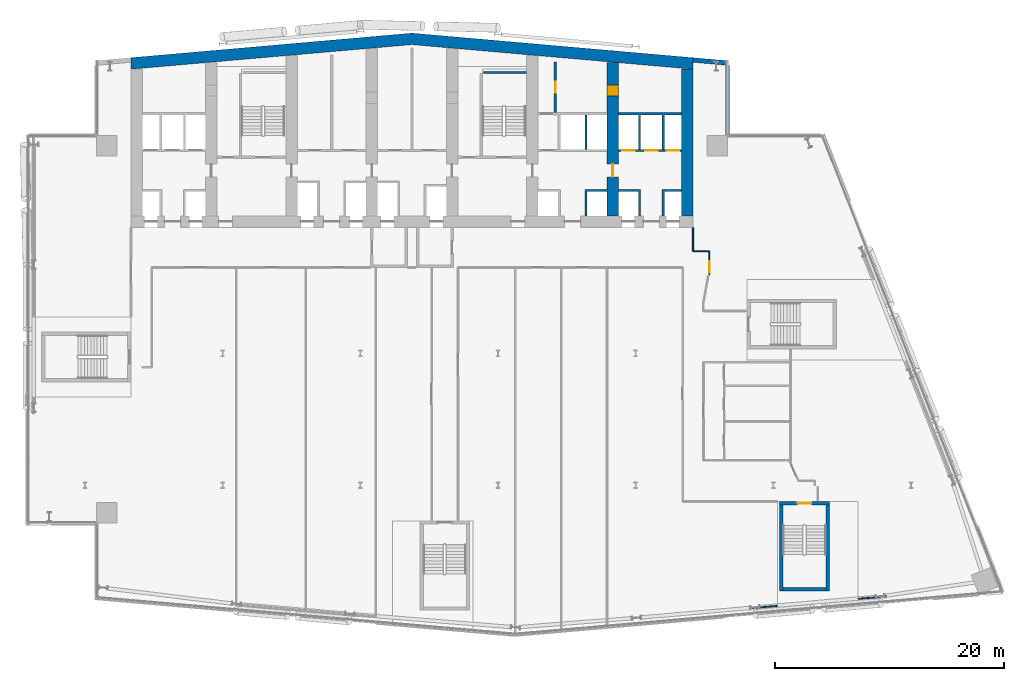
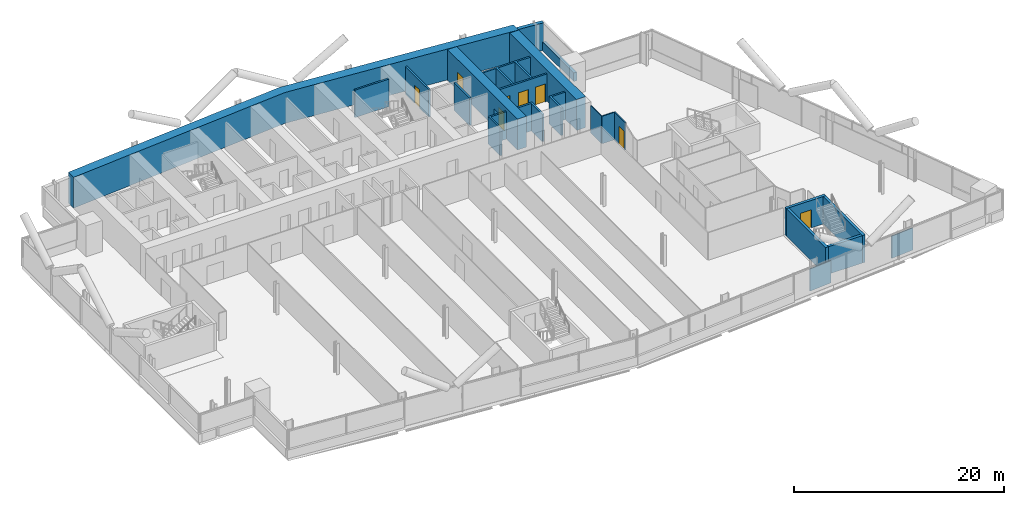
# One storey, part 17 of 26: 22 walls, 8 doors, 8 openings.
"""IFC4 building model written with IfcOpenShell, lengths in metres."""

from ifc_helpers import new_model, si_unit, direction, frame, frame_2d, origin, place, context, subcontext, project, spatial, polyline, rectangle, outline, extrude, material, layer, layer_set, type_object, element, fill, save


model = new_model("IFC4")

# Units and contexts
model_context = context("Model", 3, precision=1e-05, world=origin(), true_north=direction((0.0, 1.0)))
body_context = subcontext(model_context, "Body", "Model", "MODEL_VIEW")
ifc_project = project(units=[si_unit("LENGTHUNIT", "METRE"), si_unit("AREAUNIT", "SQUARE_METRE"), si_unit("VOLUMEUNIT", "CUBIC_METRE"), si_unit("PLANEANGLEUNIT", "RADIAN"), si_unit("MASSUNIT", "GRAM", prefix="KILO")], contexts=[model_context])

# Site, building, storey
site_placement = place(None, origin())
site = spatial("IfcSite", under=ifc_project, at=site_placement, CompositionType="ELEMENT")
building_placement = place(site_placement, origin())
building = spatial("IfcBuilding", under=site, at=building_placement, Name="Wharfspan Tower", CompositionType="ELEMENT")
storey_placement = place(building_placement, frame((0.0, 0.0, 125.5)))
storey = spatial("IfcBuildingStorey", under=building, at=storey_placement, Name="L29", CompositionType="ELEMENT", Elevation=125.5)

# Walls
ifc_material_1 = material(Name="Gypsum board on steel studs", Category="steel")
ifc_layer_1 = layer(ifc_material_1, 0.100098)
ifc_layer_set_1 = layer_set([ifc_layer_1], Name="Gypsum board on steel studs")
wall_type_1 = type_object("IfcWallType", Name="Compartment wall 100 EI 60", PredefinedType="PARTITIONING", material=ifc_layer_set_1)
wall_1_placement = place(storey_placement, frame((65.0, 31.925049, 0.0), z_axis=(0.0, 0.0, 1.0), x_axis=(0.0, 1.0, 0.0)))
element("IfcWall", 1, at=wall_1_placement, inside=storey, type_object=wall_type_1, Name="Partition L29.w020", PredefinedType="PARTITIONING", context=body_context, shape_type="SweptSolid", body=[
    extrude(rectangle(XDim=2.054932, YDim=0.100098, at=frame_2d((1.027344, 0.0))), origin(), (0.0, 0.0, 1.0), 3.199951),
])
wall_2_placement = place(storey_placement, frame((65.0, 31.925049, 0.0), z_axis=(0.0, 0.0, 1.0), x_axis=(1.0, 0.0, 0.0)))
element("IfcWall", 2, at=wall_2_placement, inside=storey, type_object=wall_type_1, Name="Partition L29.w021", PredefinedType="PARTITIONING", context=body_context, shape_type="SweptSolid", body=[
    extrude(rectangle(XDim=1.425049, YDim=0.100098, at=frame_2d((0.712402, 0.0))), origin(), (0.0, 0.0, 1.0), 3.199951),
])

# Wall, opening, door
wall_3_placement = place(storey_placement, frame((66.425049, 29.844971, 0.0), z_axis=(0.0, 0.0, 1.0), x_axis=(0.0, 1.0, 0.0)))
wall_3 = element("IfcWall", 3, at=wall_3_placement, inside=storey, type_object=wall_type_1, Name="Partition L29.w029", PredefinedType="PARTITIONING", context=body_context, shape_type="SweptSolid", body=[
    extrude(rectangle(XDim=2.080078, YDim=0.100098, at=frame_2d((1.040039, 0.0))), origin(), (0.0, 0.0, 1.0), 3.199951),
])
opening_1_placement = place(wall_3_placement, frame((0.180664, 0.0, 0.0)))
opening_1 = element("IfcOpeningElement", 4, at=opening_1_placement, cuts=wall_3, Name="Opening B4-15", PredefinedType="OPENING", context=body_context, shape_type="SweptSolid", body=[
    extrude(rectangle(XDim=1.0, YDim=2.100098, at=frame_2d((0.5, 1.050049))), frame((0.0, 0.060059, 0.0), z_axis=(0.0, -1.0, 0.0), x_axis=(1.0, 0.0, 0.0)), (0.0, 0.0, 1.0), 0.120117),
])
ifc_material_2 = material(Name="Fire-rated timber door leaf in steel frame", Category="steel")
door_type_1 = type_object("IfcDoorType", Name="Door 1000 FD30S Left", OperationType="SINGLE_SWING_LEFT", PredefinedType="DOOR", material=ifc_material_2)
door_1_placement = place(opening_1_placement, origin())
door_1 = element("IfcDoor", 5, at=door_1_placement, inside=storey, type_object=door_type_1, Name="Door B4-15", OperationType="SINGLE_SWING_LEFT", OverallHeight=2.100098, OverallWidth=1.0, PredefinedType="DOOR", context=body_context, shape_type="SweptSolid", body=[
    extrude(rectangle(XDim=1.0, YDim=2.100098, at=frame_2d((0.5, 1.050049))), frame((0.0, 0.024902, 0.0), z_axis=(0.0, -1.0, 0.0), x_axis=(1.0, 0.0, 0.0)), (0.0, 0.0, 1.0), 0.050049),
])
fill(opening_1, door_1)

ifc_material_3 = material(Name="Calcium silicate masonry", Category="masonry")
ifc_layer_2 = layer(ifc_material_3, 0.199951)
ifc_layer_set_2 = layer_set([ifc_layer_2], Name="Calcium silicate masonry")
wall_type_2 = type_object("IfcWallType", Name="Core room wall 200", PredefinedType="PARTITIONING", material=ifc_layer_set_2)
wall_4_placement = place(storey_placement, frame((53.0, 44.0, 0.0), z_axis=(0.0, 0.0, 1.0), x_axis=(0.0, 1.0, 0.0)))
wall_4 = element("IfcWall", 6, at=wall_4_placement, inside=storey, type_object=wall_type_2, Name="sw:L29:RP6.1", PredefinedType="PARTITIONING", context=body_context, shape_type="SweptSolid", body=[
    extrude(rectangle(XDim=4.419678, YDim=0.199951, at=frame_2d((2.209961, 0.0))), origin(), (0.0, 0.0, 1.0), 3.199951),
])
opening_2_placement = place(wall_4_placement, frame((1.709961, 0.0, 0.0)))
opening_2 = element("IfcOpeningElement", 7, at=opening_2_placement, cuts=wall_4, Name="Opening CD29.6P1", PredefinedType="OPENING", context=body_context, shape_type="SweptSolid", body=[
    extrude(rectangle(XDim=1.0, YDim=2.100098, at=frame_2d((0.5, 1.050049))), frame((0.0, 0.109863, 0.0), z_axis=(0.0, -1.0, 0.0), x_axis=(1.0, 0.0, 0.0)), (0.0, 0.0, 1.0), 0.219971),
])
ifc_material_4 = material(Name="Steel door leaf", Category="steel")
door_type_2 = type_object("IfcDoorType", Name="Core room door 1000x2100", OperationType="SINGLE_SWING_LEFT", PredefinedType="DOOR", material=ifc_material_4)
door_2_placement = place(opening_2_placement, origin())
door_2 = element("IfcDoor", 8, at=door_2_placement, inside=storey, type_object=door_type_2, Name="d:L29:6:rp1", OperationType="SINGLE_SWING_LEFT", OverallHeight=2.100098, OverallWidth=1.0, PredefinedType="DOOR", context=body_context, shape_type="SweptSolid", body=[
    extrude(rectangle(XDim=1.0, YDim=2.100098, at=frame_2d((0.5, 1.050049))), frame((0.0, 0.024902, 0.0), z_axis=(0.0, -1.0, 0.0), x_axis=(1.0, 0.0, 0.0)), (0.0, 0.0, 1.0), 0.050049),
])
fill(opening_2, door_2)

# Wall
ifc_material_5 = material(Name="Concrete C70/85", Category="concrete")
ifc_layer_3 = layer(ifc_material_5, 1.0)
ifc_layer_set_3 = layer_set([ifc_layer_3], Name="Concrete C70/85")
wall_type_3 = type_object("IfcWallType", Name="Core wall 1000 C70/85", PredefinedType="SHEAR", material=ifc_layer_set_3)
wall_5_placement = place(storey_placement, origin())
element("IfcWall", 9, at=wall_5_placement, inside=storey, type_object=wall_type_3, Name="Core rear wall L29", PredefinedType="SHEAR", context=body_context, shape_type="SweptSolid", body=[
    extrude(outline(polyline([(16.0, 47.783691), (40.5, 49.927002), (65.0, 47.783691), (65.0, 48.787354), (40.5, 50.930908), (16.0, 48.787354), (16.0, 47.783691)])), origin(), (0.0, 0.0, 1.0), 3.600098),
])

# Wall, openings, doors
wall_6_placement = place(storey_placement, frame((58.0, 35.0, 0.0), z_axis=(0.0, 0.0, 1.0), x_axis=(0.0, 1.0, 0.0)))
wall_6 = element("IfcWall", 10, at=wall_6_placement, inside=storey, type_object=wall_type_3, Name="Core cross wall X7 L29", PredefinedType="SHEAR", context=body_context, shape_type="SweptSolid", body=[
    extrude(rectangle(XDim=13.352295, YDim=1.0, at=frame_2d((6.67627, 0.0))), origin(), (0.0, 0.0, 1.0), 3.600098),
])
opening_3_placement = place(wall_6_placement, frame((10.425537, 0.0, 0.0)))
opening_3 = element("IfcOpeningElement", 11, at=opening_3_placement, cuts=wall_6, Name="Opening CD29.7X", PredefinedType="OPENING", context=body_context, shape_type="SweptSolid", body=[
    extrude(rectangle(XDim=1.0, YDim=2.100098, at=frame_2d((0.5, 1.050049))), frame((0.0, 0.51001, 0.0), z_axis=(0.0, -1.0, 0.0), x_axis=(1.0, 0.0, 0.0)), (0.0, 0.0, 1.0), 1.02002),
])
opening_4_placement = place(wall_6_placement, frame((3.399902, 0.0, 0.0)))
opening_4 = element("IfcOpeningElement", 12, at=opening_4_placement, cuts=wall_6, Name="Opening CC29.7", PredefinedType="OPENING", context=body_context, shape_type="SweptSolid", body=[
    extrude(rectangle(XDim=1.100098, YDim=2.100098, at=frame_2d((0.550049, 1.050049))), frame((0.0, 0.51001, 0.0), z_axis=(0.0, -1.0, 0.0), x_axis=(1.0, 0.0, 0.0)), (0.0, 0.0, 1.0), 1.02002),
])
door_type_3 = type_object("IfcDoorType", Name="Core corridor door 1100x2100", OperationType="SINGLE_SWING_LEFT", PredefinedType="DOOR", material=ifc_material_4)
door_3_placement = place(opening_4_placement, origin())
door_3 = element("IfcDoor", 13, at=door_3_placement, inside=storey, type_object=door_type_3, Name="xd:L29:7", OperationType="SINGLE_SWING_LEFT", OverallHeight=2.100098, OverallWidth=1.100098, PredefinedType="DOOR", context=body_context, shape_type="SweptSolid", body=[
    extrude(rectangle(XDim=1.100098, YDim=2.100098, at=frame_2d((0.550049, 1.050049))), frame((0.0, 0.024902, 0.0), z_axis=(0.0, -1.0, 0.0), x_axis=(1.0, 0.0, 0.0)), (0.0, 0.0, 1.0), 0.050049),
])
fill(opening_4, door_3)
door_4_placement = place(opening_3_placement, origin())
door_4 = element("IfcDoor", 14, at=door_4_placement, inside=storey, type_object=door_type_2, Name="d:L29:7:sx", OperationType="SINGLE_SWING_LEFT", OverallHeight=2.100098, OverallWidth=1.0, PredefinedType="DOOR", context=body_context, shape_type="SweptSolid", body=[
    extrude(rectangle(XDim=1.0, YDim=2.100098, at=frame_2d((0.5, 1.050049))), frame((0.0, 0.499756, 0.0), z_axis=(0.0, -1.0, 0.0), x_axis=(1.0, 0.0, 0.0)), (0.0, 0.0, 1.0), 0.999512),
])
fill(opening_3, door_4)

# Walls
wall_7_placement = place(storey_placement, frame((64.5, 35.0, 0.0), z_axis=(0.0, 0.0, 1.0), x_axis=(0.0, 1.0, 0.0)))
element("IfcWall", 15, at=wall_7_placement, inside=storey, type_object=wall_type_3, Name="Core cross wall EW1 L29", PredefinedType="SHEAR", context=body_context, shape_type="SweptSolid", body=[
    extrude(rectangle(XDim=12.783691, YDim=1.0, at=frame_2d((6.391846, 0.0))), origin(), (0.0, 0.0, 1.0), 3.600098),
])
ifc_material_6 = material(Name="Concrete C30/37", Category="concrete")
ifc_layer_4 = layer(ifc_material_6, 0.199951)
ifc_layer_set_4 = layer_set([ifc_layer_4], Name="Concrete C30/37")
wall_type_4 = type_object("IfcWallType", Name="Lift shaft wall 200", PredefinedType="PARTITIONING", material=ifc_layer_set_4)
wall_8_placement = place(storey_placement, frame((0.0, 0.0, -0.000244)))
element("IfcWall", 16, at=wall_8_placement, inside=storey, type_object=wall_type_4, Name="sw:L29:FM6.1", PredefinedType="PARTITIONING", context=body_context, shape_type="SweptSolid", body=[
    extrude(outline(polyline([(55.56665, 37.300049), (55.766602, 37.300049), (57.5, 37.300049), (57.5, 37.100098), (55.766602, 37.100098), (55.766602, 35.0), (55.56665, 35.0), (55.56665, 37.300049)])), origin(), (0.0, 0.0, 1.0), 3.200195),
])
wall_9_placement = place(storey_placement, frame((0.0, 0.0, -0.000244)))
element("IfcWall", 17, at=wall_9_placement, inside=storey, type_object=wall_type_4, Name="sw:L29:RM6.1", PredefinedType="PARTITIONING", context=body_context, shape_type="SweptSolid", body=[
    extrude(outline(polyline([(55.56665, 40.800049), (55.56665, 43.800049), (55.766602, 43.800049), (55.766602, 40.800049), (55.56665, 40.800049)])), origin(), (0.0, 0.0, 1.0), 3.200195),
])

# Wall, openings, doors
wall_10_placement = place(storey_placement, frame((58.5, 40.699951, 0.0), z_axis=(0.0, 0.0, 1.0), x_axis=(1.0, 0.0, 0.0)))
wall_10 = element("IfcWall", 18, at=wall_10_placement, inside=storey, type_object=wall_type_4, Name="sw:L29:RF7", PredefinedType="PARTITIONING", context=body_context, shape_type="SweptSolid", body=[
    extrude(rectangle(XDim=5.5, YDim=0.199951, at=frame_2d((2.75, 0.0))), origin(), (0.0, 0.0, 1.0), 3.199951),
])
opening_5_placement = place(wall_10_placement, frame((0.31665, 0.0, 0.0)))
opening_5 = element("IfcOpeningElement", 19, at=opening_5_placement, cuts=wall_10, Name="Opening LD.LA8.L29", PredefinedType="OPENING", context=body_context, shape_type="SweptSolid", body=[
    extrude(rectangle(XDim=1.100098, YDim=2.100098, at=frame_2d((0.550049, 1.050049))), frame((0.0, 0.109863, 0.0), z_axis=(0.0, -1.0, 0.0), x_axis=(1.0, 0.0, 0.0)), (0.0, 0.0, 1.0), 0.219971),
])
opening_6_placement = place(wall_10_placement, frame((2.31665, 0.0, 0.0)))
opening_6 = element("IfcOpeningElement", 20, at=opening_6_placement, cuts=wall_10, Name="Opening LD.LA9.L29", PredefinedType="OPENING", context=body_context, shape_type="SweptSolid", body=[
    extrude(rectangle(XDim=1.100098, YDim=2.100098, at=frame_2d((0.550049, 1.050049))), frame((0.0, 0.109863, 0.0), z_axis=(0.0, -1.0, 0.0), x_axis=(1.0, 0.0, 0.0)), (0.0, 0.0, 1.0), 0.219971),
])
opening_7_placement = place(wall_10_placement, frame((4.199951, 0.0, 0.0)))
opening_7 = element("IfcOpeningElement", 21, at=opening_7_placement, cuts=wall_10, Name="Opening LD.LA10.L29", PredefinedType="OPENING", context=body_context, shape_type="SweptSolid", body=[
    extrude(rectangle(XDim=1.100098, YDim=2.100098, at=frame_2d((0.550049, 1.050049))), frame((0.0, 0.109863, 0.0), z_axis=(0.0, -1.0, 0.0), x_axis=(1.0, 0.0, 0.0)), (0.0, 0.0, 1.0), 0.219971),
])
ifc_material_7 = material(Name="Stainless steel", Category="steel")
door_type_4 = type_object("IfcDoorType", Name="Lift landing door 1100x2100", OperationType="DOUBLE_DOOR_SLIDING", PredefinedType="DOOR", material=ifc_material_7)
door_5_placement = place(opening_5_placement, origin())
door_5 = element("IfcDoor", 22, at=door_5_placement, inside=storey, type_object=door_type_4, Name="Landing door LA8 L29", OperationType="DOUBLE_DOOR_SLIDING", OverallHeight=2.100098, OverallWidth=1.100098, PredefinedType="DOOR", context=body_context, shape_type="SweptSolid", body=[
    extrude(rectangle(XDim=1.100098, YDim=2.100098, at=frame_2d((0.550049, 1.050049))), frame((0.0, 0.024902, 0.0), z_axis=(0.0, -1.0, 0.0), x_axis=(1.0, 0.0, 0.0)), (0.0, 0.0, 1.0), 0.050049),
])
fill(opening_5, door_5)
door_6_placement = place(opening_6_placement, origin())
door_6 = element("IfcDoor", 23, at=door_6_placement, inside=storey, type_object=door_type_4, Name="Landing door LA9 L29", OperationType="DOUBLE_DOOR_SLIDING", OverallHeight=2.100098, OverallWidth=1.100098, PredefinedType="DOOR", context=body_context, shape_type="SweptSolid", body=[
    extrude(rectangle(XDim=1.100098, YDim=2.100098, at=frame_2d((0.550049, 1.050049))), frame((0.0, 0.024902, 0.0), z_axis=(0.0, -1.0, 0.0), x_axis=(1.0, 0.0, 0.0)), (0.0, 0.0, 1.0), 0.050049),
])
fill(opening_6, door_6)
door_7_placement = place(opening_7_placement, origin())
door_7 = element("IfcDoor", 24, at=door_7_placement, inside=storey, type_object=door_type_4, Name="Landing door LA10 L29", OperationType="DOUBLE_DOOR_SLIDING", OverallHeight=2.100098, OverallWidth=1.100098, PredefinedType="DOOR", context=body_context, shape_type="SweptSolid", body=[
    extrude(rectangle(XDim=1.100098, YDim=2.100098, at=frame_2d((0.550049, 1.050049))), frame((0.0, 0.024902, 0.0), z_axis=(0.0, -1.0, 0.0), x_axis=(1.0, 0.0, 0.0)), (0.0, 0.0, 1.0), 0.050049),
])
fill(opening_7, door_7)

# Walls
wall_11_placement = place(storey_placement, frame((0.0, 0.0, -0.000244)))
element("IfcWall", 25, at=wall_11_placement, inside=storey, type_object=wall_type_4, Name="sw:L29:FM7.0", PredefinedType="PARTITIONING", context=body_context, shape_type="SweptSolid", body=[
    extrude(outline(polyline([(60.233398, 37.100098), (58.5, 37.100098), (58.5, 37.300049), (60.233398, 37.300049), (60.43335, 37.300049), (60.43335, 35.0), (60.233398, 35.0), (60.233398, 37.100098)])), origin(), (0.0, 0.0, 1.0), 3.200195),
])
wall_12_placement = place(storey_placement, frame((0.0, 0.0, -0.000244)))
element("IfcWall", 26, at=wall_12_placement, inside=storey, type_object=wall_type_4, Name="sw:L29:FM7.1", PredefinedType="PARTITIONING", context=body_context, shape_type="SweptSolid", body=[
    extrude(outline(polyline([(62.300049, 37.300049), (62.5, 37.300049), (64.0, 37.300049), (64.0, 37.100098), (62.5, 37.100098), (62.5, 35.0), (62.300049, 35.0), (62.300049, 37.300049)])), origin(), (0.0, 0.0, 1.0), 3.200195),
])
wall_13_placement = place(storey_placement, frame((0.0, 0.0, -0.000244)))
element("IfcWall", 27, at=wall_13_placement, inside=storey, type_object=wall_type_4, Name="sw:L29:RM7.0", PredefinedType="PARTITIONING", context=body_context, shape_type="SweptSolid", body=[
    extrude(outline(polyline([(60.43335, 40.800049), (60.233398, 40.800049), (60.233398, 43.800049), (58.5, 43.800049), (58.5, 44.0), (64.0, 44.0), (64.0, 43.800049), (62.5, 43.800049), (62.5, 40.800049), (62.300049, 40.800049), (62.300049, 43.800049), (60.43335, 43.800049), (60.43335, 40.800049)])), origin(), (0.0, 0.0, 1.0), 3.200195),
])
ifc_layer_5 = layer(ifc_material_1, 0.100098)
ifc_layer_set_5 = layer_set([ifc_layer_5], Name="Gypsum board on steel studs")
wall_type_5 = type_object("IfcWallType", Name="Partition 100", PredefinedType="PARTITIONING", material=ifc_layer_set_5)
wall_14_placement = place(storey_placement, frame((69.909912, 0.780029, 0.0), z_axis=(0.0, 0.0, 1.0), x_axis=(0.99619, 0.087259, 0.0)))
element("IfcWall", 28, at=wall_14_placement, inside=storey, type_object=wall_type_5, Name="Partition L29.w033", PredefinedType="PARTITIONING", context=body_context, shape_type="SweptSolid", body=[
    extrude(rectangle(XDim=2.445312, YDim=0.100098, at=frame_2d((1.222656, 0.0))), origin(), (0.0, 0.0, 1.0), 2.580078),
])
wall_15_placement = place(storey_placement, frame((79.385986, 1.606689, 0.0), z_axis=(0.0, 0.0, 1.0), x_axis=(0.996209, 0.086973, 0.0)))
element("IfcWall", 29, at=wall_15_placement, inside=storey, type_object=wall_type_5, Name="Partition L29.w040", PredefinedType="PARTITIONING", context=body_context, shape_type="SweptSolid", body=[
    extrude(rectangle(XDim=2.453369, YDim=0.100098, at=frame_2d((1.226562, 0.0))), origin(), (0.0, 0.0, 1.0), 2.580078),
])
ifc_material_8 = material(Name="Concrete C40/50", Category="concrete")
ifc_layer_6 = layer(ifc_material_8, 0.350098)
ifc_layer_set_6 = layer_set([ifc_layer_6], Name="Concrete C40/50")
wall_type_6 = type_object("IfcWallType", Name="SPANDREL EXPOSED CONCRETE 350", PredefinedType="SOLIDWALL", material=ifc_layer_set_6)
wall_16_placement = place(storey_placement, frame((68.004883, 42.179932, 0.0), z_axis=(0.0, 0.0, 1.0), x_axis=(0.0, 1.0, 0.0)))
element("IfcWall", 30, at=wall_16_placement, inside=storey, type_object=wall_type_6, Name="Spandrel upstand L29 NRE-V", PredefinedType="SOLIDWALL", context=body_context, shape_type="SweptSolid", body=[
    extrude(rectangle(XDim=5.946533, YDim=0.350098, at=frame_2d((2.973145, 0.0))), origin(), (0.0, 0.0, 1.0), 1.0),
])

# Wall, opening, door
ifc_layer_7 = layer(ifc_material_8, 0.300049)
ifc_layer_set_7 = layer_set([ifc_layer_7], Name="Concrete C40/50")
wall_type_7 = type_object("IfcWallType", Name="Stair core wall 300", PredefinedType="SHEAR", material=ifc_layer_set_7)
wall_17_placement = place(storey_placement, frame((72.541016, 9.94458, 0.0), z_axis=(0.0, 0.0, 1.0), x_axis=(1.0, 0.0, 0.0)))
wall_17 = element("IfcWall", 31, at=wall_17_placement, inside=storey, type_object=wall_type_7, Name="ST5 stair enclosure wall L29", PredefinedType="SHEAR", context=body_context, shape_type="SweptSolid", body=[
    extrude(rectangle(XDim=4.350098, YDim=0.300049, at=frame_2d((2.175049, 0.0))), origin(), (0.0, 0.0, 1.0), 3.199951),
])
opening_8_placement = place(wall_17_placement, frame((1.574951, 0.0, 0.0)))
opening_8 = element("IfcOpeningElement", 32, at=opening_8_placement, cuts=wall_17, Name="Opening SD5.L29", PredefinedType="OPENING", context=body_context, shape_type="SweptSolid", body=[
    extrude(rectangle(XDim=1.199951, YDim=2.100098, at=frame_2d((0.600098, 1.050049))), frame((0.0, 0.159912, 0.0), z_axis=(0.0, -1.0, 0.0), x_axis=(1.0, 0.0, 0.0)), (0.0, 0.0, 1.0), 0.320068),
])
door_type_5 = type_object("IfcDoorType", Name="Stair door 1200x2100", OperationType="SINGLE_SWING_LEFT", PredefinedType="DOOR", material=ifc_material_4)
door_8_placement = place(opening_8_placement, origin())
door_8 = element("IfcDoor", 33, at=door_8_placement, inside=storey, type_object=door_type_5, Name="sd:L29:ST5z2", OperationType="SINGLE_SWING_RIGHT", OverallHeight=2.100098, OverallWidth=1.199951, PredefinedType="DOOR", context=body_context, shape_type="SweptSolid", body=[
    extrude(rectangle(XDim=1.199951, YDim=2.100098, at=frame_2d((0.600098, 1.050049))), frame((0.0, 0.024902, 0.0), z_axis=(0.0, -1.0, 0.0), x_axis=(1.0, 0.0, 0.0)), (0.0, 0.0, 1.0), 0.050049),
])
fill(opening_8, door_8)

# Walls
for number, where, z_axis, x_axis, name in (
    (34, (72.690918, 2.294678, 0.0), (0.0, 0.0, 1.0), (0.0, 1.0, 0.0), "ST5 stair enclosure wall L29"),
    (35, (76.740967, 2.294678, 0.0), (0.0, 0.0, 1.0), (0.0, 1.0, 0.0), "ST5 stair enclosure wall L29"),
):
    element("IfcWall", number, at=place(storey_placement, frame(where, z_axis=z_axis, x_axis=x_axis)), inside=storey, type_object=wall_type_7, Name=name, PredefinedType="SHEAR", context=body_context, shape_type="SweptSolid", body=[
        extrude(rectangle(XDim=7.5, YDim=0.300049, at=frame_2d((3.75, 0.0))), origin(), (0.0, 0.0, 1.0), 3.199951),
    ])
wall_18_placement = place(storey_placement, frame((72.841064, 2.44458, 0.0), z_axis=(0.0, 0.0, 1.0), x_axis=(1.0, 0.0, 0.0)))
element("IfcWall", 36, at=wall_18_placement, inside=storey, type_object=wall_type_7, Name="ST5 stair enclosure wall L29", PredefinedType="SHEAR", context=body_context, shape_type="SweptSolid", body=[
    extrude(rectangle(XDim=3.75, YDim=0.300049, at=frame_2d((1.875, 0.0))), origin(), (0.0, 0.0, 1.0), 3.199951),
])
ifc_layer_8 = layer(ifc_material_8, 0.199951)
ifc_layer_set_8 = layer_set([ifc_layer_8], Name="Concrete C40/50")
wall_type_8 = type_object("IfcWallType", Name="Stair shaft wall 200", PredefinedType="SHEAR", material=ifc_layer_set_8)
wall_19_placement = place(storey_placement, frame((46.75, 47.5, 0.0), z_axis=(0.0, 0.0, 1.0), x_axis=(1.0, 0.0, 0.0)))
element("IfcWall", 37, at=wall_19_placement, inside=storey, type_object=wall_type_8, Name="ST2 stair enclosure wall L29", PredefinedType="SHEAR", context=body_context, shape_type="SweptSolid", body=[
    extrude(rectangle(XDim=3.75, YDim=0.199951, at=frame_2d((1.875, 0.0))), origin(), (0.0, 0.0, 1.0), 3.199951),
])
ifc_layer_9 = layer(ifc_material_8, 0.399902)
ifc_layer_set_9 = layer_set([ifc_layer_9], Name="Concrete C40/50")
wall_type_9 = type_object("IfcWallType", Name="WALL EXPOSED CONCRETE 400", PredefinedType="SOLIDWALL", material=ifc_layer_set_9)
wall_20_placement = place(storey_placement, frame((67.982666, 48.325684, 0.0), z_axis=(0.0, 0.0, 1.0), x_axis=(-0.996194, 0.087168, 0.0)))
element("IfcWall", 38, at=wall_20_placement, inside=storey, type_object=wall_type_9, Name="Rear wall N2", PredefinedType="SOLIDWALL", context=body_context, shape_type="SweptSolid", body=[
    extrude(rectangle(XDim=2.994141, YDim=0.399902, at=frame_2d((1.49707, 0.0))), origin(), (0.0, 0.0, 1.0), 3.199951),
])

save(model, "model.ifc")
